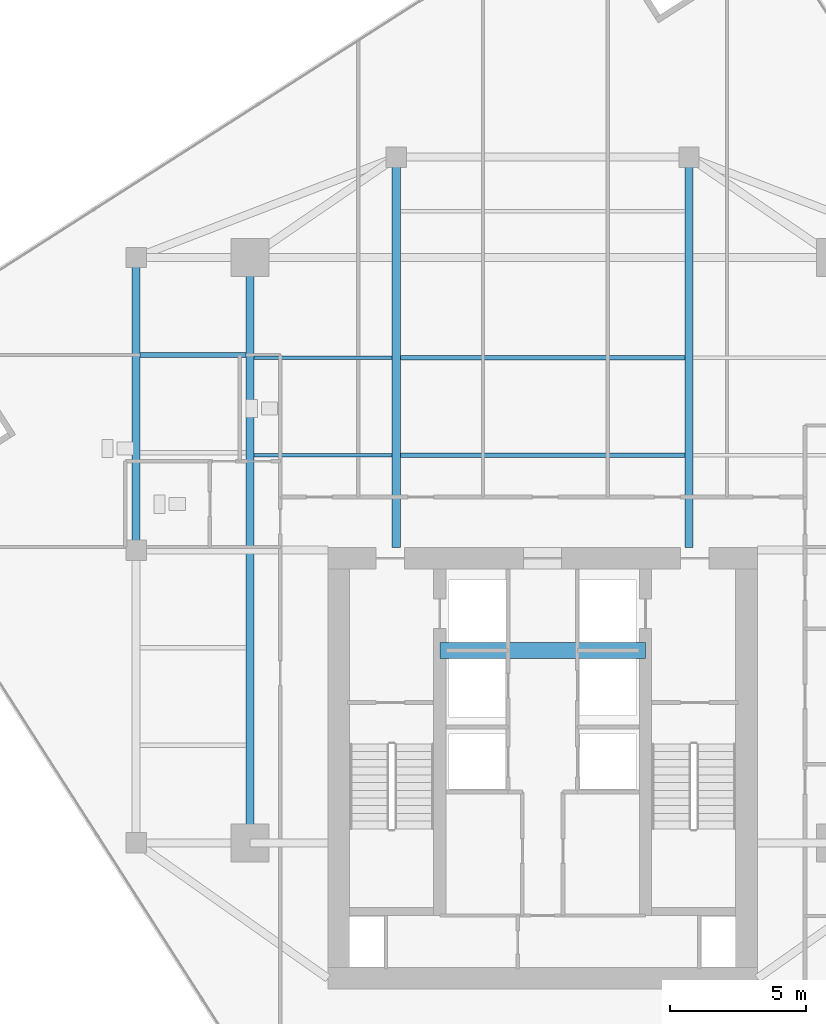
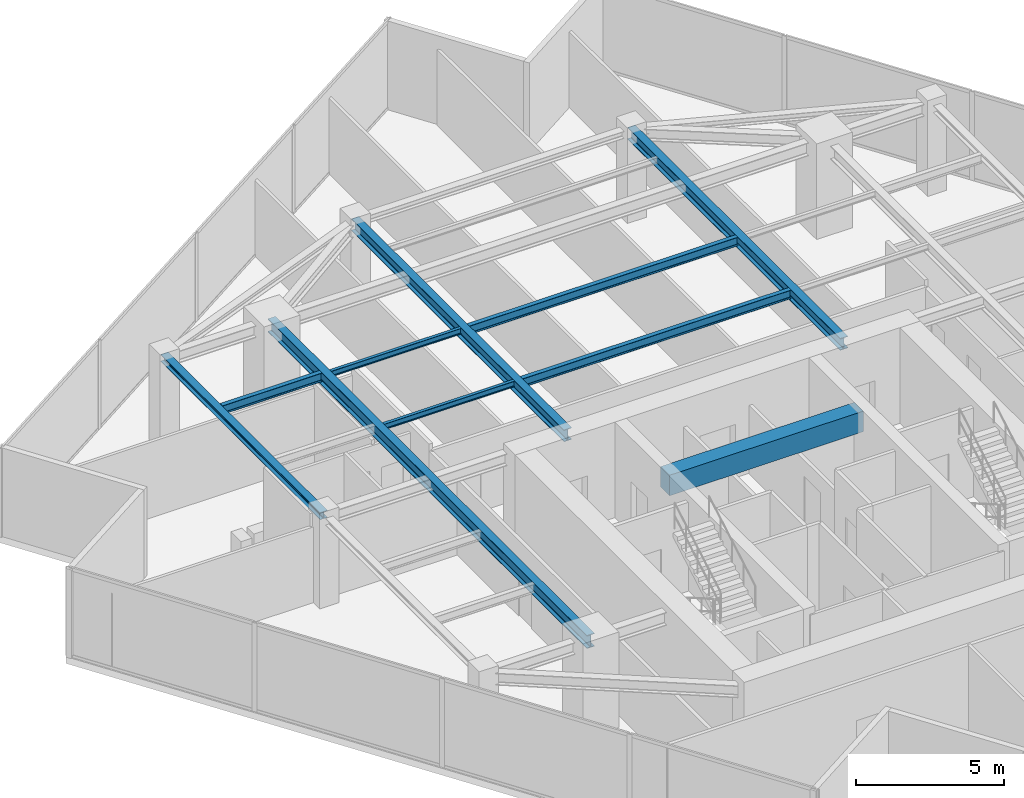
# One storey, part 7 of 20: 10 beams.
"""IFC4 building model written with IfcOpenShell, lengths in metres."""

from ifc_helpers import new_model, si_unit, direction, frame, origin, origin_2d, place, context, subcontext, project, spatial, rectangle, i_section, extrude, source, transform, mapped, material, material_profile, profile_set, type_object, type_shapes, element, save


model = new_model("IFC4")

# Units and contexts
model_context = context("Model", 3, precision=1e-05, world=origin(), true_north=direction((0.0, 1.0)))
body_context = subcontext(model_context, "Body", "Model", "MODEL_VIEW")
ifc_project = project(units=[si_unit("LENGTHUNIT", "METRE"), si_unit("AREAUNIT", "SQUARE_METRE"), si_unit("VOLUMEUNIT", "CUBIC_METRE"), si_unit("PLANEANGLEUNIT", "RADIAN"), si_unit("MASSUNIT", "GRAM", prefix="KILO")], contexts=[model_context])

# Site, building, storey
site_placement = place(None, origin())
site = spatial("IfcSite", under=ifc_project, at=site_placement, CompositionType="ELEMENT")
building_placement = place(site_placement, origin())
building = spatial("IfcBuilding", under=site, at=building_placement, Name="Krantzveldt Concourse Tower", CompositionType="ELEMENT")
storey_placement = place(building_placement, frame((0.0, 0.0, 291.10009765625)))
storey = spatial("IfcBuildingStorey", under=building, at=storey_placement, Name="L71", CompositionType="ELEMENT", Elevation=291.10009765625)

# Beams
ifc_material_1 = material(Name="Steel S355JR", Category="steel")
ifc_material_profile_1 = material_profile(ifc_material_1, i_section(OverallWidth=0.169921875, OverallDepth=0.360107421875, WebThickness=0.008056640625, FlangeThickness=0.0126953125, FilletRadius=0.01806640625, at=origin_2d()), Name="Steel S355JR", Category="steel")
ifc_profile_set_1 = profile_set([ifc_material_profile_1], Name="Steel S355JR - IPE 360")
beam_type_1 = type_object("IfcBeamType", Name="BM-J-IPE360", PredefinedType="JOIST", material=ifc_profile_set_1)
shared_shape_1 = source(origin(), body_context, "Body", "SweptSolid", [
    extrude(i_section(OverallWidth=0.169921875, OverallDepth=0.360107421875, WebThickness=0.008056640625, FlangeThickness=0.0126953125, FilletRadius=0.01806640625, at=origin_2d()), origin(), (0.0, 0.0, 1.0), 10.5),
])
for number, where, z_axis, x_axis, name in (
    (1, (30.75, 30.199951171875, 3.489990234375), (1.0, 0.0, 0.0), (0.0, 1.0, 0.0), "L71 Secondary Floor Joist JN-C1"),
    (2, (30.75, 33.800048828125, 3.489990234375), (1.0, 0.0, 0.0), (0.0, 1.0, 0.0), "L71 Secondary Floor Joist JN-C2"),
):
    element("IfcBeam", number, at=place(storey_placement, frame(where, z_axis=z_axis, x_axis=x_axis)), inside=storey, type_object=beam_type_1, Name=name, PredefinedType="JOIST", context=body_context, shape_type="MappedRepresentation", body=[
        mapped(shared_shape_1, transform((0.0, 0.0, 0.0), x_axis=(1.0, 0.0, 0.0), y_axis=(0.0, 1.0, 0.0), z_axis=(0.0, 0.0, 1.0), scale=1.0)),
    ])
ifc_material_profile_2 = material_profile(ifc_material_1, i_section(OverallWidth=0.300048828125, OverallDepth=0.489990234375, WebThickness=0.011962890625, FlangeThickness=0.02294921875, FilletRadius=0.027099609375, at=origin_2d()), Name="Steel S355JR", Category="steel")
ifc_profile_set_2 = profile_set([ifc_material_profile_2], Name="Steel S355JR - HEA 500")
beam_type_2 = type_object("IfcBeamType", Name="BM-B-HEA500", PredefinedType="BEAM", material=ifc_profile_set_2)
shared_shape_2 = source(origin(), body_context, "Body", "SweptSolid", [
    extrude(i_section(OverallWidth=0.300048828125, OverallDepth=0.489990234375, WebThickness=0.011962890625, FlangeThickness=0.02294921875, FilletRadius=0.027099609375, at=origin_2d()), origin(), (0.0, 0.0, 1.0), 14.39990234375),
])
type_shapes(beam_type_2, [shared_shape_2])
for number, where, z_axis, x_axis, name in (
    (3, (30.60009765625, 26.800048828125, 3.4248046875), (0.0, 1.0, 0.0), (-1.0, 0.0, 0.0), "L71 Tower Girder BG-CNW"),
    (4, (41.39990234375, 26.800048828125, 3.4248046875), (0.0, 1.0, 0.0), (-1.0, 0.0, 0.0), "L71 Tower Girder BG-CNE"),
):
    element("IfcBeam", number, at=place(storey_placement, frame(where, z_axis=z_axis, x_axis=x_axis)), inside=storey, type_object=beam_type_2, Name=name, PredefinedType="BEAM", context=body_context, shape_type="MappedRepresentation", body=[
        mapped(shared_shape_2, transform((0.0, 0.0, 0.0), x_axis=(1.0, 0.0, 0.0), y_axis=(0.0, 1.0, 0.0), z_axis=(0.0, 0.0, 1.0), scale=1.0)),
    ])
ifc_material_2 = material(Name="Concrete C50/60", Category="concrete")
ifc_material_profile_3 = material_profile(ifc_material_2, rectangle(XDim=0.60009765625, YDim=0.85009765625, at=origin_2d()), Name="Concrete C50/60", Category="concrete")
ifc_profile_set_3 = profile_set([ifc_material_profile_3], Name="Concrete C50/60 - RC-CB 600x850")
beam_type_3 = type_object("IfcBeamType", Name="BM-CB-850", PredefinedType="LINTEL", material=ifc_profile_set_3)
shared_shape_3 = source(origin(), body_context, "Body", "SweptSolid", [
    extrude(rectangle(XDim=0.60009765625, YDim=0.85009765625, at=origin_2d()), origin(), (0.0, 0.0, 1.0), 7.580078125),
])
type_shapes(beam_type_3, [shared_shape_3])
beam_1_placement = place(storey_placement, frame((32.2099609375, 23.0, 3.244873046875), z_axis=(1.0, 0.0, 0.0), x_axis=(0.0, 1.0, 0.0)))
element("IfcBeam", 5, at=beam_1_placement, inside=storey, type_object=beam_type_3, Name="CB-L71-01", PredefinedType="LINTEL", context=body_context, shape_type="MappedRepresentation", body=[
    mapped(shared_shape_3, transform((0.0, 0.0, 0.0), x_axis=(1.0, 0.0, 0.0), y_axis=(0.0, 1.0, 0.0), z_axis=(0.0, 0.0, 1.0), scale=1.0)),
])
ifc_material_profile_4 = material_profile(ifc_material_1, i_section(OverallWidth=0.300048828125, OverallDepth=0.5400390625, WebThickness=0.012451171875, FlangeThickness=0.02392578125, FilletRadius=0.027099609375, at=origin_2d()), Name="Steel S355JR", Category="steel")
ifc_profile_set_4 = profile_set([ifc_material_profile_4], Name="Steel S355JR - HEA 550")
beam_type_4 = type_object("IfcBeamType", Name="BM-B-HEA550", PredefinedType="BEAM", material=ifc_profile_set_4)
shared_shape_4 = source(origin(), body_context, "Body", "SweptSolid", [
    extrude(i_section(OverallWidth=0.300048828125, OverallDepth=0.5400390625, WebThickness=0.012451171875, FlangeThickness=0.02392578125, FilletRadius=0.027099609375, at=origin_2d()), origin(), (0.0, 0.0, 1.0), 21.60009765625),
])
type_shapes(beam_type_4, [shared_shape_4])
beam_2_placement = place(storey_placement, frame((25.199951171875, 15.89990234375, 3.39990234375), z_axis=(0.0, 1.0, 0.0), x_axis=(-1.0, 0.0, 0.0)))
element("IfcBeam", 6, at=beam_2_placement, inside=storey, type_object=beam_type_4, Name="L71 Tower Girder BG-MW", PredefinedType="BEAM", context=body_context, shape_type="MappedRepresentation", body=[
    mapped(shared_shape_4, transform((0.0, 0.0, 0.0), x_axis=(1.0, 0.0, 0.0), y_axis=(0.0, 1.0, 0.0), z_axis=(0.0, 0.0, 1.0), scale=1.0)),
])
ifc_material_profile_5 = material_profile(ifc_material_1, i_section(OverallWidth=0.2900390625, OverallDepth=0.2900390625, WebThickness=0.008544921875, FlangeThickness=0.013916015625, FilletRadius=0.027099609375, at=origin_2d()), Name="Steel S355JR", Category="steel")
ifc_profile_set_5 = profile_set([ifc_material_profile_5], Name="Steel S355JR - HEA 300")
beam_type_5 = type_object("IfcBeamType", Name="BM-SP-HEA300", PredefinedType="SPANDREL", material=ifc_profile_set_5)
shared_shape_5 = source(origin(), body_context, "Body", "SweptSolid", [
    extrude(i_section(OverallWidth=0.2900390625, OverallDepth=0.2900390625, WebThickness=0.008544921875, FlangeThickness=0.013916015625, FilletRadius=0.027099609375, at=origin_2d()), origin(), (0.0, 0.0, 1.0), 10.800048828125),
])
type_shapes(beam_type_5, [shared_shape_5])
beam_3_placement = place(storey_placement, frame((21.0, 26.699951171875, 3.52490234375), z_axis=(0.0, 1.0, 0.0), x_axis=(-1.0, 0.0, 0.0)))
element("IfcBeam", 7, at=beam_3_placement, inside=storey, type_object=beam_type_5, Name="L71 Tower Girder SP-R02", PredefinedType="SPANDREL", context=body_context, shape_type="MappedRepresentation", body=[
    mapped(shared_shape_5, transform((0.0, 0.0, 0.0), x_axis=(1.0, 0.0, 0.0), y_axis=(0.0, 1.0, 0.0), z_axis=(0.0, 0.0, 1.0), scale=1.0)),
])
ifc_material_profile_6 = material_profile(ifc_material_1, i_section(OverallWidth=0.1201171875, OverallDepth=0.239990234375, WebThickness=0.006103515625, FlangeThickness=0.009765625, FilletRadius=0.014892578125, at=origin_2d()), Name="Steel S355JR", Category="steel")
ifc_profile_set_6 = profile_set([ifc_material_profile_6], Name="Steel S355JR - IPE 240")
beam_type_6 = type_object("IfcBeamType", Name="BM-LN-IPE240", PredefinedType="LINTEL", material=ifc_profile_set_6)
shared_shape_6 = source(origin(), body_context, "Body", "SweptSolid", [
    extrude(i_section(OverallWidth=0.1201171875, OverallDepth=0.239990234375, WebThickness=0.006103515625, FlangeThickness=0.009765625, FilletRadius=0.014892578125, at=origin_2d()), origin(), (0.0, 0.0, 1.0), 5.099853515625),
])
type_shapes(beam_type_6, [shared_shape_6])
for number, where, z_axis, x_axis, name in (
    (8, (25.35009765625, 30.199951171875, 3.5498046875), (1.0, 0.0, 0.0), (0.0, 1.0, 0.0), "L71 Secondary Floor Joist JN-W1"),
    (9, (25.35009765625, 33.800048828125, 3.5498046875), (1.0, 0.0, 0.0), (0.0, 1.0, 0.0), "L71 Secondary Floor Joist JN-W2"),
):
    element("IfcBeam", number, at=place(storey_placement, frame(where, z_axis=z_axis, x_axis=x_axis)), inside=storey, type_object=beam_type_6, Name=name, PredefinedType="LINTEL", context=body_context, shape_type="MappedRepresentation", body=[
        mapped(shared_shape_6, transform((0.0, 0.0, 0.0), x_axis=(1.0, 0.0, 0.0), y_axis=(0.0, 1.0, 0.0), z_axis=(0.0, 0.0, 1.0), scale=1.0)),
    ])
shared_shape_7 = source(origin(), body_context, "Body", "SweptSolid", [
    extrude(i_section(OverallWidth=0.169921875, OverallDepth=0.360107421875, WebThickness=0.008056640625, FlangeThickness=0.0126953125, FilletRadius=0.01806640625, at=origin_2d()), origin(), (0.0, 0.0, 1.0), 3.900146484375),
])
type_shapes(beam_type_1, [shared_shape_1, shared_shape_7])
beam_4_placement = place(storey_placement, frame((21.14990234375, 33.89990234375, 3.489990234375), z_axis=(1.0, 0.0, 0.0), x_axis=(0.0, 1.0, 0.0)))
element("IfcBeam", 10, at=beam_4_placement, inside=storey, type_object=beam_type_1, Name="L71 Secondary Floor Joist JW-4", PredefinedType="JOIST", context=body_context, shape_type="MappedRepresentation", body=[
    mapped(shared_shape_7, transform((0.0, 0.0, 0.0), x_axis=(1.0, 0.0, 0.0), y_axis=(0.0, 1.0, 0.0), z_axis=(0.0, 0.0, 1.0), scale=1.0)),
])

save(model, "model.ifc")
